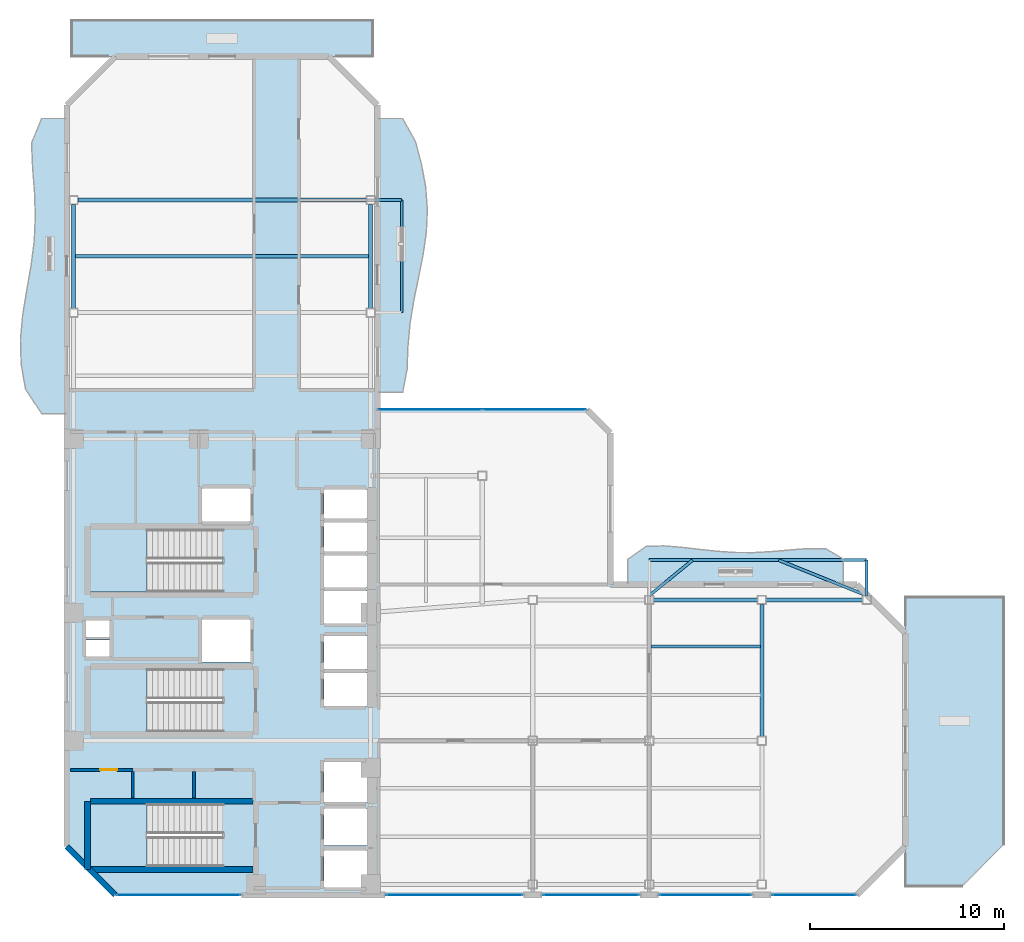
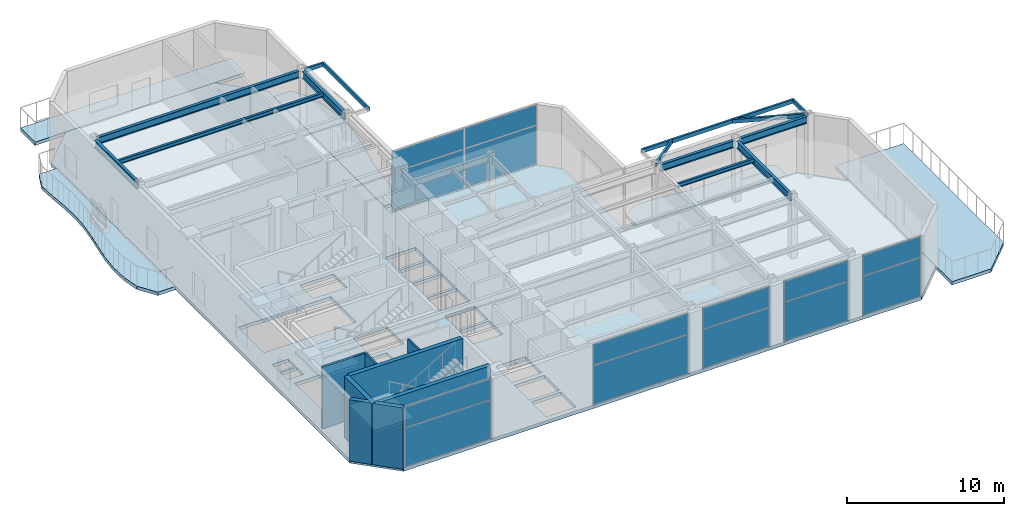
# One storey, part 9 of 16: 14 beams, 14 plates, 9 slabs, 7 walls, 1 door, 1 opening, 9 elements without a shape of their own.
"""IFC4 building model written with IfcOpenShell, lengths in metres."""

from ifc_helpers import new_model, si_unit, direction, frame, frame_2d, origin, origin_2d, place, context, subcontext, project, spatial, polyline, rectangle, hollow_rectangle, i_section, outline, extrude, material, layer, layer_set, material_profile, profile_set, type_object, element, fill, aggregate, save


model = new_model("IFC4")

# Units and contexts
model_context = context("Model", 3, precision=1e-05, world=origin(), true_north=direction((0.0, 1.0)))
body_context = subcontext(model_context, "Body", "Model", "MODEL_VIEW")
ifc_project = project(units=[si_unit("LENGTHUNIT", "METRE"), si_unit("AREAUNIT", "SQUARE_METRE"), si_unit("VOLUMEUNIT", "CUBIC_METRE"), si_unit("PLANEANGLEUNIT", "RADIAN"), si_unit("MASSUNIT", "GRAM", prefix="KILO")], contexts=[model_context])

# Site, building, storey
site_placement = place(None, origin())
site = spatial("IfcSite", under=ifc_project, at=site_placement, CompositionType="ELEMENT")
building_placement = place(site_placement, origin())
building = spatial("IfcBuilding", under=site, at=building_placement, Name="Mawjaban Terraces University", CompositionType="ELEMENT")
storey_placement = place(building_placement, frame((0.0, 0.0, 170.800048828125)))
storey = spatial("IfcBuildingStorey", under=building, at=storey_placement, Name="L41", CompositionType="ELEMENT", Elevation=170.800048828125)

# Beams
ifc_material_1 = material(Name="Steel EN 10210-1 S355J2H", Category="steel")
ifc_material_profile_1 = material_profile(ifc_material_1, hollow_rectangle(XDim=0.14990234375, YDim=0.300048828125, WallThickness=0.012451171875, at=origin_2d()), Name="RHS300X150X12.5")
ifc_profile_set_1 = profile_set([ifc_material_profile_1], Name="Steel EN 10210-1 S355J2H")
beam_type_1 = type_object("IfcBeamType", Name="BalconyCantileverSpandrel_RHS", PredefinedType="SPANDREL", material=ifc_profile_set_1)
beam_1_placement = place(storey_placement, frame((63.199951171875, 15.425048828125, 4.639892578125), z_axis=(0.0, 1.0, 0.0), x_axis=(-1.0, 0.0, 0.0)))
element("IfcBeam", 1, at=beam_1_placement, inside=storey, type_object=beam_type_1, Name="L41 Exterior Outrigger BAL-L42-N.2", PredefinedType="SPANDREL", context=body_context, shape_type="SweptSolid", body=[
    extrude(hollow_rectangle(XDim=0.14990234375, YDim=0.300048828125, WallThickness=0.012451171875, at=origin_2d()), origin(), (0.0, 0.0, 1.0), 1.824951171875),
])
beam_2_placement = place(storey_placement, frame((52.0, 17.25, 4.639892578125), z_axis=(1.0, 0.0, 0.0), x_axis=(0.0, 1.0, 0.0)))
element("IfcBeam", 2, at=beam_2_placement, inside=storey, type_object=beam_type_1, Name="L41 Exterior Edge Spandrel BAL-L42-N", PredefinedType="SPANDREL", context=body_context, shape_type="SweptSolid", body=[
    extrude(hollow_rectangle(XDim=0.14990234375, YDim=0.300048828125, WallThickness=0.012451171875, at=origin_2d()), origin(), (0.0, 0.0, 1.0), 11.199951171875),
])
beam_3_placement = place(storey_placement, frame((52.0, 15.425048828125, 4.639892578125), z_axis=(0.773885570903, 0.633325448051, 0.0), x_axis=(-0.633325448051, 0.773885570903, 0.0)))
element("IfcBeam", 3, at=beam_3_placement, inside=storey, type_object=beam_type_1, Name="L41 Exterior Diagonal Strut BAL-L42-N.1", PredefinedType="SPANDREL", context=body_context, shape_type="SweptSolid", body=[
    extrude(hollow_rectangle(XDim=0.14990234375, YDim=0.300048828125, WallThickness=0.012451171875, at=origin_2d()), origin(), (0.0, 0.0, 1.0), 2.881591796875),
])
beam_4_placement = place(storey_placement, frame((63.199951171875, 15.425048828125, 4.639892578125), z_axis=(-0.927560275354, 0.373673568217, 0.0), x_axis=(-0.373673568217, -0.927560275354, 0.0)))
element("IfcBeam", 4, at=beam_4_placement, inside=storey, type_object=beam_type_1, Name="L41 Exterior Diagonal Strut BAL-L42-N.2", PredefinedType="SPANDREL", context=body_context, shape_type="SweptSolid", body=[
    extrude(hollow_rectangle(XDim=0.14990234375, YDim=0.300048828125, WallThickness=0.012451171875, at=origin_2d()), origin(), (0.0, 0.0, 1.0), 4.8837890625),
])
beam_5_placement = place(storey_placement, frame((37.875, 35.800048828125, 4.639892578125), z_axis=(1.0, 0.0, 0.0), x_axis=(0.0, 1.0, 0.0)))
element("IfcBeam", 5, at=beam_5_placement, inside=storey, type_object=beam_type_1, Name="L41 Exterior Outrigger BAL-L42-E.2", PredefinedType="SPANDREL", context=body_context, shape_type="SweptSolid", body=[
    extrude(hollow_rectangle(XDim=0.14990234375, YDim=0.300048828125, WallThickness=0.012451171875, at=origin_2d()), origin(), (0.0, 0.0, 1.0), 1.375),
])
beam_6_placement = place(storey_placement, frame((39.25, 30.0, 4.639892578125), z_axis=(0.0, 1.0, 0.0), x_axis=(-1.0, 0.0, 0.0)))
element("IfcBeam", 6, at=beam_6_placement, inside=storey, type_object=beam_type_1, Name="L41 Exterior Edge Spandrel BAL-L42-E", PredefinedType="SPANDREL", context=body_context, shape_type="SweptSolid", body=[
    extrude(hollow_rectangle(XDim=0.14990234375, YDim=0.300048828125, WallThickness=0.012451171875, at=origin_2d()), origin(), (0.0, 0.0, 1.0), 5.800048828125),
])
ifc_material_2 = material(Name="Steel ASTM A572 Grade 50", Category="steel")
ifc_material_profile_2 = material_profile(ifc_material_2, i_section(OverallWidth=0.2119140625, OverallDepth=0.5439453125, WebThickness=0.01318359375, FlangeThickness=0.021240234375, at=origin_2d()), Name="W530X123")
ifc_profile_set_2 = profile_set([ifc_material_profile_2], Name="Steel ASTM A572 Grade 50")
beam_type_2 = type_object("IfcBeamType", Name="Beam_B_W530X123", PredefinedType="BEAM", material=ifc_profile_set_2)
beam_7_placement = place(storey_placement, frame((52.22509765625, 15.199951171875, 4.51806640625), z_axis=(1.0, 0.0, 0.0), x_axis=(0.0, 1.0, 0.0)))
element("IfcBeam", 7, at=beam_7_placement, inside=storey, type_object=beam_type_2, Name="L41 Beam BM-L41-EW-08", PredefinedType="BEAM", context=body_context, shape_type="SweptSolid", body=[
    extrude(i_section(OverallWidth=0.2119140625, OverallDepth=0.5439453125, WebThickness=0.01318359375, FlangeThickness=0.021240234375, at=origin_2d()), origin(), (0.0, 0.0, 1.0), 5.349853515625),
])
beam_8_placement = place(storey_placement, frame((58.02490234375, 15.199951171875, 4.51806640625), z_axis=(1.0, 0.0, 0.0), x_axis=(0.0, 1.0, 0.0)))
element("IfcBeam", 8, at=beam_8_placement, inside=storey, type_object=beam_type_2, Name="L41 Beam BM-L41-EW-09", PredefinedType="BEAM", context=body_context, shape_type="SweptSolid", body=[
    extrude(i_section(OverallWidth=0.2119140625, OverallDepth=0.5439453125, WebThickness=0.01318359375, FlangeThickness=0.021240234375, at=origin_2d()), origin(), (0.0, 0.0, 1.0), 4.9501953125),
])
beam_9_placement = place(storey_placement, frame((22.574951171875, 35.800048828125, 4.51806640625), z_axis=(1.0, 0.0, 0.0), x_axis=(0.0, 1.0, 0.0)))
element("IfcBeam", 9, at=beam_9_placement, inside=storey, type_object=beam_type_2, Name="L41 Beam BM-L41-EW-13", PredefinedType="BEAM", context=body_context, shape_type="SweptSolid", body=[
    extrude(i_section(OverallWidth=0.2119140625, OverallDepth=0.5439453125, WebThickness=0.01318359375, FlangeThickness=0.021240234375, at=origin_2d()), origin(), (0.0, 0.0, 1.0), 14.85009765625),
])
for number, where, z_axis, x_axis, name in (
    (10, (22.35009765625, 30.22509765625, 4.51806640625), (0.0, 1.0, 0.0), (-1.0, 0.0, 0.0), "L41 Beam BM-L41-NS-04"),
    (11, (37.64990234375, 30.22509765625, 4.51806640625), (0.0, 1.0, 0.0), (-1.0, 0.0, 0.0), "L41 Beam BM-L41-NS-09"),
):
    element("IfcBeam", number, at=place(storey_placement, frame(where, z_axis=z_axis, x_axis=x_axis)), inside=storey, type_object=beam_type_2, Name=name, PredefinedType="BEAM", context=body_context, shape_type="SweptSolid", body=[
        extrude(i_section(OverallWidth=0.2119140625, OverallDepth=0.5439453125, WebThickness=0.01318359375, FlangeThickness=0.021240234375, at=origin_2d()), origin(), (0.0, 0.0, 1.0), 5.349853515625),
    ])
beam_10_placement = place(storey_placement, frame((57.800048828125, 8.175048828125, 4.51806640625), z_axis=(0.0, 1.0, 0.0), x_axis=(-1.0, 0.0, 0.0)))
element("IfcBeam", 12, at=beam_10_placement, inside=storey, type_object=beam_type_2, Name="L41 Beam BM-L41-NS-15", PredefinedType="BEAM", context=body_context, shape_type="SweptSolid", body=[
    extrude(i_section(OverallWidth=0.2119140625, OverallDepth=0.5439453125, WebThickness=0.01318359375, FlangeThickness=0.021240234375, at=origin_2d()), origin(), (0.0, 0.0, 1.0), 6.800048828125),
])
ifc_material_profile_3 = material_profile(ifc_material_2, i_section(OverallWidth=0.1669921875, OverallDepth=0.318115234375, WebThickness=0.007568359375, FlangeThickness=0.01318359375, at=origin_2d()), Name="W310X52")
ifc_profile_set_3 = profile_set([ifc_material_profile_3], Name="Steel ASTM A572 Grade 50")
beam_type_3 = type_object("IfcBeamType", Name="Beam_J_W310X52", PredefinedType="JOIST", material=ifc_profile_set_3)
beam_11_placement = place(storey_placement, frame((52.080078125, 12.800048828125, 4.630859375), z_axis=(1.0, 0.0, 0.0), x_axis=(0.0, 1.0, 0.0)))
element("IfcBeam", 13, at=beam_11_placement, inside=storey, type_object=beam_type_3, Name="L41 Composite Joist JST-L41-12", PredefinedType="JOIST", context=body_context, shape_type="SweptSolid", body=[
    extrude(i_section(OverallWidth=0.1669921875, OverallDepth=0.318115234375, WebThickness=0.007568359375, FlangeThickness=0.01318359375, at=origin_2d()), origin(), (0.0, 0.0, 1.0), 5.639892578125),
])
beam_12_placement = place(storey_placement, frame((22.429931640625, 32.89990234375, 4.630859375), z_axis=(1.0, 0.0, 0.0), x_axis=(0.0, 1.0, 0.0)))
element("IfcBeam", 14, at=beam_12_placement, inside=storey, type_object=beam_type_3, Name="L41 Composite Joist JST-L41-15", PredefinedType="JOIST", context=body_context, shape_type="SweptSolid", body=[
    extrude(i_section(OverallWidth=0.1669921875, OverallDepth=0.318115234375, WebThickness=0.007568359375, FlangeThickness=0.01318359375, at=origin_2d()), origin(), (0.0, 0.0, 1.0), 15.14013671875),
])

# Slabs
ifc_material_3 = material(Name="Concrete C40/50", Category="concrete")
ifc_layer_1 = layer(ifc_material_3, 0.260009765625)
ifc_layer_set_1 = layer_set([ifc_layer_1], Name="Concrete C40/50")
slab_type_1 = type_object("IfcSlabType", Name="BalconySlab_260_Ext", PredefinedType="FLOOR", material=ifc_layer_set_1)
slab_1_placement = place(storey_placement, frame((0.0, 0.0, -0.260009765625)))
element("IfcSlab", 15, at=slab_1_placement, inside=storey, type_object=slab_type_1, Name="L41 Planted Balcony Slab west", PredefinedType="FLOOR", context=body_context, shape_type="SweptSolid", body=[
    extrude(outline(polyline([(22.010009765625, 24.800048828125), (22.010009765625, 40.0), (20.699951171875, 40.0), (20.18310546875, 38.73291015625), (20.237060546875, 37.467041015625), (20.3349609375, 36.199951171875), (20.3779296875, 34.93310546875), (20.318115234375, 33.6669921875), (20.154052734375, 32.39990234375), (19.931884765625, 31.133056640625), (19.72509765625, 29.866943359375), (19.612060546875, 28.60009765625), (19.64892578125, 27.3330078125), (19.8720703125, 26.06689453125), (20.699951171875, 24.800048828125), (22.010009765625, 24.800048828125)])), origin(), (0.0, 0.0, 1.0), 0.260009765625),
])
slab_2_placement = place(storey_placement, frame((0.0, 0.0, -0.260009765625)))
element("IfcSlab", 16, at=slab_2_placement, inside=storey, type_object=slab_type_1, Name="L41 Planted Balcony Slab inner_north", PredefinedType="FLOOR", context=body_context, shape_type="SweptSolid", body=[
    extrude(outline(polyline([(50.89990234375, 15.989990234375), (62.0, 15.989990234375), (62.0, 17.300048828125), (61.074951171875, 17.846923828125), (60.14990234375, 17.846923828125), (59.22509765625, 17.77294921875), (58.300048828125, 17.69189453125), (57.375, 17.64208984375), (56.449951171875, 17.64501953125), (55.52490234375, 17.705078125), (54.60009765625, 17.803955078125), (53.675048828125, 17.9130859375), (52.75, 17.985107421875), (51.824951171875, 17.955078125), (50.89990234375, 17.300048828125), (50.89990234375, 15.989990234375)])), origin(), (0.0, 0.0, 1.0), 0.260009765625),
])
slab_3_placement = place(storey_placement, frame((0.0, 0.0, -0.260009765625)))
element("IfcSlab", 17, at=slab_3_placement, inside=storey, type_object=slab_type_1, Name="L41 Planted Balcony Slab inner_east", PredefinedType="FLOOR", context=body_context, shape_type="SweptSolid", body=[
    extrude(outline(polyline([(39.300048828125, 25.89990234375), (39.527099609375, 27.074951171875), (39.569091796875, 28.25), (39.677001953125, 29.425048828125), (39.866943359375, 30.60009765625), (40.10888671875, 31.77490234375), (40.346923828125, 32.949951171875), (40.51708984375, 34.125), (40.570068359375, 35.300048828125), (40.48388671875, 36.47509765625), (40.26904296875, 37.64990234375), (39.955078125, 38.824951171875), (39.300048828125, 40.0), (37.989990234375, 40.0), (37.989990234375, 25.89990234375), (39.300048828125, 25.89990234375)])), origin(), (0.0, 0.0, 1.0), 0.260009765625),
])
ifc_layer_2 = layer(ifc_material_3, 0.260009765625)
ifc_layer_set_2 = layer_set([ifc_layer_2], Name="Concrete C40/50")
slab_type_2 = type_object("IfcSlabType", Name="DiaphragmSlab_260", PredefinedType="FLOOR", material=ifc_layer_set_2)
slab_4_placement = place(storey_placement, frame((0.0, 0.0, -0.260009765625)))
element("IfcSlab", 18, at=slab_4_placement, inside=storey, type_object=slab_type_2, Name="L41 Primary Structural Slab", PredefinedType="FLOOR", context=body_context, shape_type="SweptSolid", body=[
    extrude(outline(polyline([(24.5, 0.0), (62.699951171875, 0.0), (65.199951171875, 2.5), (65.199951171875, 13.5), (62.699951171875, 16.0), (50.0, 16.0), (50.0, 23.800048828125), (48.800048828125, 25.0), (38.0, 25.0), (38.0, 40.699951171875), (35.5, 43.199951171875), (24.5, 43.199951171875), (22.0, 40.699951171875), (22.0, 2.5), (24.5, 0.0)]), holes=[polyline([(30.014892578125, 4.699951171875), (23.199951171875, 4.699951171875), (23.199951171875, 1.449951171875), (30.014892578125, 1.449951171875), (30.014892578125, 4.699951171875)]), polyline([(30.014892578125, 18.85009765625), (23.199951171875, 18.85009765625), (23.199951171875, 15.60009765625), (30.014892578125, 15.60009765625), (30.014892578125, 18.85009765625)]), polyline([(30.014892578125, 11.64990234375), (23.199951171875, 11.64990234375), (23.199951171875, 8.39990234375), (30.014892578125, 8.39990234375), (30.014892578125, 11.64990234375)]), polyline([(35.25, 0.39990234375), (37.449951171875, 0.39990234375), (37.449951171875, 2.300048828125), (35.25, 2.300048828125), (35.25, 0.39990234375)]), polyline([(35.25, 2.550048828125), (37.449951171875, 2.550048828125), (37.449951171875, 4.449951171875), (35.25, 4.449951171875), (35.25, 2.550048828125)]), polyline([(35.25, 4.800048828125), (37.449951171875, 4.800048828125), (37.449951171875, 6.85009765625), (35.25, 6.85009765625), (35.25, 4.800048828125)]), polyline([(35.25, 9.75), (37.449951171875, 9.75), (37.449951171875, 11.449951171875), (35.25, 11.449951171875), (35.25, 9.75)]), polyline([(35.25, 11.64990234375), (37.449951171875, 11.64990234375), (37.449951171875, 13.35009765625), (35.25, 13.35009765625), (35.25, 11.64990234375)]), polyline([(28.949951171875, 12.0), (31.449951171875, 12.0), (31.449951171875, 14.199951171875), (28.949951171875, 14.199951171875), (28.949951171875, 12.0)]), polyline([(35.25, 14.0), (37.449951171875, 14.0), (37.449951171875, 15.64990234375), (35.25, 15.64990234375), (35.25, 14.0)]), polyline([(35.25, 15.85009765625), (37.449951171875, 15.85009765625), (37.449951171875, 17.5), (35.25, 17.5), (35.25, 15.85009765625)]), polyline([(35.25, 17.699951171875), (37.449951171875, 17.699951171875), (37.449951171875, 19.199951171875), (35.25, 19.199951171875), (35.25, 17.699951171875)]), polyline([(35.25, 19.39990234375), (37.449951171875, 19.39990234375), (37.449951171875, 20.89990234375), (35.25, 20.89990234375), (35.25, 19.39990234375)]), polyline([(28.949951171875, 19.25), (31.449951171875, 19.25), (31.449951171875, 20.949951171875), (28.949951171875, 20.949951171875), (28.949951171875, 19.25)]), polyline([(23.0, 12.25), (24.199951171875, 12.25), (24.199951171875, 13.14990234375), (23.0, 13.14990234375), (23.0, 12.25)]), polyline([(23.0, 13.300048828125), (24.199951171875, 13.300048828125), (24.199951171875, 14.179931640625), (23.0, 14.179931640625), (23.0, 13.300048828125)])]), origin(), (0.0, 0.0, 1.0), 0.260009765625),
])

# Stair, slab
stair_type = type_object("IfcStairType", Name="Stair_Core1550_H50", PredefinedType="HALF_TURN_STAIR", material=ifc_material_3)
stair_1_placement = place(storey_placement, origin())
stair_1 = element("IfcStair", 19, at=stair_1_placement, inside=storey, type_object=stair_type, Name="L41 Core Exit Stair 1", PredefinedType="HALF_TURN_STAIR")
ifc_layer_3 = layer(ifc_material_3, 0.199951171875)
ifc_layer_set_3 = layer_set([ifc_layer_3], Name="Concrete C40/50")
slab_type_3 = type_object("IfcSlabType", Name="StairLandingSlab_200", PredefinedType="LANDING", material=ifc_layer_set_3)
slab_5_placement = place(storey_placement, frame((0.0, 0.0, 2.300048828125)))
slab_5 = element("IfcSlab", 20, at=slab_5_placement, type_object=slab_type_3, Name="ST-1 landing 1", PredefinedType="LANDING", context=body_context, shape_type="SweptSolid", body=[
    extrude(outline(polyline([(26.1298828125, 4.699951171875), (23.199951171875, 4.699951171875), (23.199951171875, 1.449951171875), (26.1298828125, 1.449951171875), (26.1298828125, 4.699951171875)])), origin(), (0.0, 0.0, 1.0), 0.199951171875),
])
aggregate(stair_1, [slab_5])

stair_2_placement = place(storey_placement, origin())
stair_2 = element("IfcStair", 21, at=stair_2_placement, inside=storey, type_object=stair_type, Name="L41 Core Exit Stair 2", PredefinedType="HALF_TURN_STAIR")
slab_6_placement = place(storey_placement, frame((0.0, 0.0, 2.300048828125)))
slab_6 = element("IfcSlab", 22, at=slab_6_placement, type_object=slab_type_3, Name="ST-2 landing 1", PredefinedType="LANDING", context=body_context, shape_type="SweptSolid", body=[
    extrude(outline(polyline([(26.1298828125, 18.85009765625), (23.199951171875, 18.85009765625), (23.199951171875, 15.60009765625), (26.1298828125, 15.60009765625), (26.1298828125, 18.85009765625)])), origin(), (0.0, 0.0, 1.0), 0.199951171875),
])
aggregate(stair_2, [slab_6])

stair_3_placement = place(storey_placement, origin())
stair_3 = element("IfcStair", 23, at=stair_3_placement, inside=storey, type_object=stair_type, Name="L41 Core Exit Stair 3", PredefinedType="HALF_TURN_STAIR")
slab_7_placement = place(storey_placement, frame((0.0, 0.0, 2.300048828125)))
slab_7 = element("IfcSlab", 24, at=slab_7_placement, type_object=slab_type_3, Name="ST-3 landing 1", PredefinedType="LANDING", context=body_context, shape_type="SweptSolid", body=[
    extrude(outline(polyline([(26.1298828125, 11.64990234375), (23.199951171875, 11.64990234375), (23.199951171875, 8.39990234375), (26.1298828125, 8.39990234375), (26.1298828125, 11.64990234375)])), origin(), (0.0, 0.0, 1.0), 0.199951171875),
])
aggregate(stair_3, [slab_7])

# Slabs
ifc_layer_4 = layer(ifc_material_3, 0.260009765625)
ifc_layer_set_4 = layer_set([ifc_layer_4], Name="Concrete C40/50")
slab_type_4 = type_object("IfcSlabType", Name="TerraceRoofSlab_260_Ext", PredefinedType="ROOF", material=ifc_layer_set_4)
slab_8_placement = place(storey_placement, frame((0.0, 0.0, -0.260009765625)))
element("IfcSlab", 25, at=slab_8_placement, inside=storey, type_object=slab_type_4, Name="L41 Exterior Setback Terrace Slab", PredefinedType="ROOF", context=body_context, shape_type="SweptSolid", body=[
    extrude(outline(polyline([(65.199951171875, 0.449951171875), (68.10009765625, 0.449951171875), (70.25, 2.60009765625), (70.25, 15.35009765625), (65.199951171875, 15.35009765625), (65.199951171875, 0.449951171875)])), origin(), (0.0, 0.0, 1.0), 0.260009765625),
])
slab_9_placement = place(storey_placement, frame((0.0, 0.0, -0.260009765625)))
element("IfcSlab", 26, at=slab_9_placement, inside=storey, type_object=slab_type_4, Name="L41 Exterior Setback Terrace Slab", PredefinedType="ROOF", context=body_context, shape_type="SweptSolid", body=[
    extrude(outline(polyline([(22.25, 43.199951171875), (37.75, 43.199951171875), (37.75, 45.050048828125), (22.25, 45.050048828125), (22.25, 43.199951171875)])), origin(), (0.0, 0.0, 1.0), 0.260009765625),
])

# Curtain wall, plates
ifc_material_4 = material(Name="Anodised aluminium 6063-T6 and solar-control low-E glass", Category="aluminium")
ifc_layer_5 = layer(ifc_material_4, 0.18994140625)
ifc_layer_set_5 = layer_set([ifc_layer_5], Name="Anodised aluminium 6063-T6 and solar-control low-E glass")
curtain_wall_type = type_object("IfcCurtainWallType", Name="CWSystem_05_SkyLobby", PredefinedType="NOTDEFINED", material=ifc_layer_set_5)
curtain_wall_1_placement = place(storey_placement, origin())
curtain_wall_1 = element("IfcCurtainWall", 27, at=curtain_wall_1_placement, inside=storey, type_object=curtain_wall_type, Name="L41 Curtain Wall CW-05 Run 1.1", PredefinedType="NOTDEFINED")
ifc_material_5 = material(Name="Low-E solar-control double glazing", Category="glass")
ifc_layer_6 = layer(ifc_material_5, 0.033935546875)
ifc_layer_set_6 = layer_set([ifc_layer_6], Name="Low-E solar-control double glazing")
plate_type = type_object("IfcPlateType", Name="VisionPanel_CW-05", PredefinedType="CURTAIN_PANEL", material=ifc_layer_set_6)
plate_1_placement = place(storey_placement, frame((27.75, 0.0, 0.06005859375), z_axis=(0.0, 0.0, 1.0), x_axis=(1.0, 0.0, 0.0)))
plate_1 = element("IfcPlate", 28, at=plate_1_placement, type_object=plate_type, Name="CW-05 panel 1.1", PredefinedType="CURTAIN_PANEL", context=body_context, shape_type="SweptSolid", body=[
    extrude(rectangle(XDim=6.3701171875, YDim=0.028076171875, at=origin_2d()), origin(), (0.0, 0.0, 1.0), 3.02294921875),
])
plate_2_placement = place(storey_placement, frame((27.75, 0.0, 3.14306640625), z_axis=(0.0, 0.0, 1.0), x_axis=(1.0, 0.0, 0.0)))
plate_2 = element("IfcPlate", 29, at=plate_2_placement, type_object=plate_type, Name="CW-05 panel 1.2", PredefinedType="CURTAIN_PANEL", context=body_context, shape_type="SweptSolid", body=[
    extrude(rectangle(XDim=6.3701171875, YDim=0.028076171875, at=origin_2d()), origin(), (0.0, 0.0, 1.0), 1.5869140625),
])
aggregate(curtain_wall_1, [plate_1, plate_2])

curtain_wall_2_placement = place(storey_placement, origin())
curtain_wall_2 = element("IfcCurtainWall", 30, at=curtain_wall_2_placement, inside=storey, type_object=curtain_wall_type, Name="L41 Curtain Wall CW-05 Run 1.2", PredefinedType="NOTDEFINED")
plate_3_placement = place(storey_placement, frame((41.96240234375, 0.0, 0.06005859375), z_axis=(0.0, 0.0, 1.0), x_axis=(1.0, 0.0, 0.0)))
plate_3 = element("IfcPlate", 31, at=plate_3_placement, type_object=plate_type, Name="CW-05 panel 1.1", PredefinedType="CURTAIN_PANEL", context=body_context, shape_type="SweptSolid", body=[
    extrude(rectangle(XDim=6.9951171875, YDim=0.028076171875, at=origin_2d()), origin(), (0.0, 0.0, 1.0), 3.02294921875),
])
plate_4_placement = place(storey_placement, frame((41.96240234375, 0.0, 3.14306640625), z_axis=(0.0, 0.0, 1.0), x_axis=(1.0, 0.0, 0.0)))
plate_4 = element("IfcPlate", 32, at=plate_4_placement, type_object=plate_type, Name="CW-05 panel 1.2", PredefinedType="CURTAIN_PANEL", context=body_context, shape_type="SweptSolid", body=[
    extrude(rectangle(XDim=6.9951171875, YDim=0.028076171875, at=origin_2d()), origin(), (0.0, 0.0, 1.0), 1.5869140625),
])
aggregate(curtain_wall_2, [plate_3, plate_4])

curtain_wall_3_placement = place(storey_placement, origin())
curtain_wall_3 = element("IfcCurtainWall", 33, at=curtain_wall_3_placement, inside=storey, type_object=curtain_wall_type, Name="L41 Curtain Wall CW-05 Run 1.3", PredefinedType="NOTDEFINED")
plate_5_placement = place(storey_placement, frame((49.0, 0.0, 0.06005859375), z_axis=(0.0, 0.0, 1.0), x_axis=(1.0, 0.0, 0.0)))
plate_5 = element("IfcPlate", 34, at=plate_5_placement, type_object=plate_type, Name="CW-05 panel 1.1", PredefinedType="CURTAIN_PANEL", context=body_context, shape_type="SweptSolid", body=[
    extrude(rectangle(XDim=4.919921875, YDim=0.028076171875, at=origin_2d()), origin(), (0.0, 0.0, 1.0), 3.02294921875),
])
plate_6_placement = place(storey_placement, frame((49.0, 0.0, 3.14306640625), z_axis=(0.0, 0.0, 1.0), x_axis=(1.0, 0.0, 0.0)))
plate_6 = element("IfcPlate", 35, at=plate_6_placement, type_object=plate_type, Name="CW-05 panel 1.2", PredefinedType="CURTAIN_PANEL", context=body_context, shape_type="SweptSolid", body=[
    extrude(rectangle(XDim=4.919921875, YDim=0.028076171875, at=origin_2d()), origin(), (0.0, 0.0, 1.0), 1.5869140625),
])
aggregate(curtain_wall_3, [plate_5, plate_6])

curtain_wall_4_placement = place(storey_placement, origin())
curtain_wall_4 = element("IfcCurtainWall", 36, at=curtain_wall_4_placement, inside=storey, type_object=curtain_wall_type, Name="L41 Curtain Wall CW-05 Run 1.4", PredefinedType="NOTDEFINED")
plate_7_placement = place(storey_placement, frame((54.89990234375, 0.0, 0.06005859375), z_axis=(0.0, 0.0, 1.0), x_axis=(1.0, 0.0, 0.0)))
plate_7 = element("IfcPlate", 37, at=plate_7_placement, type_object=plate_type, Name="CW-05 panel 1.1", PredefinedType="CURTAIN_PANEL", context=body_context, shape_type="SweptSolid", body=[
    extrude(rectangle(XDim=4.719970703125, YDim=0.028076171875, at=origin_2d()), origin(), (0.0, 0.0, 1.0), 3.02294921875),
])
plate_8_placement = place(storey_placement, frame((54.89990234375, 0.0, 3.14306640625), z_axis=(0.0, 0.0, 1.0), x_axis=(1.0, 0.0, 0.0)))
plate_8 = element("IfcPlate", 38, at=plate_8_placement, type_object=plate_type, Name="CW-05 panel 1.2", PredefinedType="CURTAIN_PANEL", context=body_context, shape_type="SweptSolid", body=[
    extrude(rectangle(XDim=4.719970703125, YDim=0.028076171875, at=origin_2d()), origin(), (0.0, 0.0, 1.0), 1.5869140625),
])
aggregate(curtain_wall_4, [plate_7, plate_8])

curtain_wall_5_placement = place(storey_placement, origin())
curtain_wall_5 = element("IfcCurtainWall", 39, at=curtain_wall_5_placement, inside=storey, type_object=curtain_wall_type, Name="L41 Curtain Wall CW-05 Run 1.5", PredefinedType="NOTDEFINED")
plate_9_placement = place(storey_placement, frame((60.487548828125, 0.0, 0.06005859375), z_axis=(0.0, 0.0, 1.0), x_axis=(1.0, 0.0, 0.0)))
plate_9 = element("IfcPlate", 40, at=plate_9_placement, type_object=plate_type, Name="CW-05 panel 1.1", PredefinedType="CURTAIN_PANEL", context=body_context, shape_type="SweptSolid", body=[
    extrude(rectangle(XDim=4.294921875, YDim=0.028076171875, at=origin_2d()), origin(), (0.0, 0.0, 1.0), 3.02294921875),
])
plate_10_placement = place(storey_placement, frame((60.487548828125, 0.0, 3.14306640625), z_axis=(0.0, 0.0, 1.0), x_axis=(1.0, 0.0, 0.0)))
plate_10 = element("IfcPlate", 41, at=plate_10_placement, type_object=plate_type, Name="CW-05 panel 1.2", PredefinedType="CURTAIN_PANEL", context=body_context, shape_type="SweptSolid", body=[
    extrude(rectangle(XDim=4.294921875, YDim=0.028076171875, at=origin_2d()), origin(), (0.0, 0.0, 1.0), 1.5869140625),
])
aggregate(curtain_wall_5, [plate_9, plate_10])

curtain_wall_6_placement = place(storey_placement, origin())
curtain_wall_6 = element("IfcCurtainWall", 42, at=curtain_wall_6_placement, inside=storey, type_object=curtain_wall_type, Name="L41 Curtain Wall CW-05 Run 8.1", PredefinedType="NOTDEFINED")
plate_11_placement = place(storey_placement, frame((46.083740234375, 25.0, 0.06005859375), z_axis=(0.0, 0.0, 1.0), x_axis=(-1.0, 0.0, 0.0)))
plate_11 = element("IfcPlate", 43, at=plate_11_placement, type_object=plate_type, Name="CW-05 panel 1.1", PredefinedType="CURTAIN_PANEL", context=body_context, shape_type="SweptSolid", body=[
    extrude(rectangle(XDim=5.302490234375, YDim=0.028076171875, at=origin_2d()), origin(), (0.0, 0.0, 1.0), 3.02294921875),
])
plate_12_placement = place(storey_placement, frame((46.083740234375, 25.0, 3.14306640625), z_axis=(0.0, 0.0, 1.0), x_axis=(-1.0, 0.0, 0.0)))
plate_12 = element("IfcPlate", 44, at=plate_12_placement, type_object=plate_type, Name="CW-05 panel 1.2", PredefinedType="CURTAIN_PANEL", context=body_context, shape_type="SweptSolid", body=[
    extrude(rectangle(XDim=5.302490234375, YDim=0.028076171875, at=origin_2d()), origin(), (0.0, 0.0, 1.0), 1.5869140625),
])
plate_13_placement = place(storey_placement, frame((40.71630859375, 25.0, 0.06005859375), z_axis=(0.0, 0.0, 1.0), x_axis=(-1.0, 0.0, 0.0)))
plate_13 = element("IfcPlate", 45, at=plate_13_placement, type_object=plate_type, Name="CW-05 panel 2.1", PredefinedType="CURTAIN_PANEL", context=body_context, shape_type="SweptSolid", body=[
    extrude(rectangle(XDim=5.302490234375, YDim=0.028076171875, at=origin_2d()), origin(), (0.0, 0.0, 1.0), 3.02294921875),
])
plate_14_placement = place(storey_placement, frame((40.71630859375, 25.0, 3.14306640625), z_axis=(0.0, 0.0, 1.0), x_axis=(-1.0, 0.0, 0.0)))
plate_14 = element("IfcPlate", 46, at=plate_14_placement, type_object=plate_type, Name="CW-05 panel 2.2", PredefinedType="CURTAIN_PANEL", context=body_context, shape_type="SweptSolid", body=[
    extrude(rectangle(XDim=5.302490234375, YDim=0.028076171875, at=origin_2d()), origin(), (0.0, 0.0, 1.0), 1.5869140625),
])
aggregate(curtain_wall_6, [plate_11, plate_12, plate_13, plate_14])

# Wall, opening, door
ifc_material_6 = material(Name="Fire-rated gypsum board on steel stud", Category="steel")
ifc_layer_7 = layer(ifc_material_6, 0.159912109375)
ifc_layer_set_7 = layer_set([ifc_layer_7], Name="Fire-rated gypsum board on steel stud")
wall_type_1 = type_object("IfcWallType", Name="CorridorPartition_160", PredefinedType="PARTITIONING", material=ifc_layer_set_7)
wall_1_placement = place(storey_placement, frame((22.199951171875, 6.449951171875, 0.0), z_axis=(0.0, 0.0, 1.0), x_axis=(1.0, 0.0, 0.0)))
wall_1 = element("IfcWall", 47, at=wall_1_placement, inside=storey, type_object=wall_type_1, Name="L41 Core Washroom Lobby Partition 1", PredefinedType="PARTITIONING", context=body_context, shape_type="SweptSolid", body=[
    extrude(rectangle(XDim=3.199951171875, YDim=0.159912109375, at=frame_2d((1.60009765625, 0.0))), origin(), (0.0, 0.0, 1.0), 4.7900390625),
])
opening_placement = place(wall_1_placement, frame((1.510009765625, 0.0, 0.0)))
opening = element("IfcOpeningElement", 48, at=opening_placement, cuts=wall_1, Name="Opening ID-088", PredefinedType="OPENING", context=body_context, shape_type="SweptSolid", body=[
    extrude(rectangle(XDim=0.8798828125, YDim=2.10009765625, at=frame_2d((0.43994140625, 1.050048828125))), frame((0.0, 0.08984375, 0.0), z_axis=(0.0, -1.0, 0.0), x_axis=(1.0, 0.0, 0.0)), (0.0, 0.0, 1.0), 0.179931640625),
])
ifc_material_7 = material(Name="Powder-coated steel frame and solid acoustic timber leaf", Category="steel")
door_type = type_object("IfcDoorType", Name="ToiletDoor_880x2100", OperationType="NOTDEFINED", PredefinedType="DOOR", material=ifc_material_7)
door_placement = place(opening_placement, origin())
door = element("IfcDoor", 49, at=door_placement, inside=storey, type_object=door_type, Name="L41 Male Toilet Door", OperationType="SINGLE_SWING_RIGHT", OverallHeight=2.10009765625, OverallWidth=0.8798828125, PredefinedType="DOOR", context=body_context, shape_type="SweptSolid", body=[
    extrude(rectangle(XDim=0.8798828125, YDim=2.10009765625, at=frame_2d((0.43994140625, 1.050048828125))), frame((0.0, 0.02490234375, 0.0), z_axis=(0.0, -1.0, 0.0), x_axis=(1.0, 0.0, 0.0)), (0.0, 0.0, 1.0), 0.050048828125),
])
fill(opening, door)

# Walls
ifc_material_8 = material(Name="Insulated terracotta rainscreen on concrete backup C40/50", Category="masonry")
ifc_layer_8 = layer(ifc_material_8, 0.300048828125)
ifc_layer_set_8 = layer_set([ifc_layer_8], Name="Insulated terracotta rainscreen on concrete backup C40/50")
wall_type_2 = type_object("IfcWallType", Name="ExtTerracottaWall_300", PredefinedType="SOLIDWALL", material=ifc_layer_set_8)
wall_2_placement = place(storey_placement, frame((22.0, 2.5, 0.0), z_axis=(0.0, 0.0, 1.0), x_axis=(0.707106781187, -0.707106781187, 0.0)))
element("IfcWall", 50, at=wall_2_placement, inside=storey, type_object=wall_type_2, Name="L41 Exterior Terracotta Wall 14", PredefinedType="SOLIDWALL", context=body_context, shape_type="SweptSolid", body=[
    extrude(rectangle(XDim=3.53564453125, YDim=0.300048828125, at=frame_2d((1.767822265625, 0.0))), origin(), (0.0, 0.0, 1.0), 4.7900390625),
])
ifc_material_9 = material(Name="Concrete C60/75", Category="concrete")
ifc_layer_9 = layer(ifc_material_9, 0.300048828125)
ifc_layer_set_9 = layer_set([ifc_layer_9], Name="Concrete C60/75")
wall_type_3 = type_object("IfcWallType", Name="StairShaftWall_300", PredefinedType="SHEAR", material=ifc_layer_set_9)
wall_3_placement = place(storey_placement, frame((31.580078125, 4.830078125, 0.0), z_axis=(0.0, 0.0, 1.0), x_axis=(-1.0, 0.0, 0.0)))
element("IfcWall", 51, at=wall_3_placement, inside=storey, type_object=wall_type_3, Name="L41 ST-1 Stair Shaft Wall 1", PredefinedType="SHEAR", context=body_context, shape_type="SweptSolid", body=[
    extrude(rectangle(XDim=8.360107421875, YDim=0.300048828125, at=frame_2d((4.18017578125, 0.0))), origin(), (0.0, 0.0, 1.0), 4.7900390625),
])
wall_4_placement = place(storey_placement, frame((23.070068359375, 4.830078125, 0.0), z_axis=(0.0, 0.0, 1.0), x_axis=(0.0, -1.0, 0.0)))
element("IfcWall", 52, at=wall_4_placement, inside=storey, type_object=wall_type_3, Name="L41 ST-1 Stair Shaft Wall 2", PredefinedType="SHEAR", context=body_context, shape_type="SweptSolid", body=[
    extrude(rectangle(XDim=3.510009765625, YDim=0.300048828125, at=frame_2d((1.7548828125, 0.0))), origin(), (0.0, 0.0, 1.0), 4.7900390625),
])
wall_5_placement = place(storey_placement, frame((23.219970703125, 1.320068359375, 0.0), z_axis=(0.0, 0.0, 1.0), x_axis=(1.0, 0.0, 0.0)))
element("IfcWall", 53, at=wall_5_placement, inside=storey, type_object=wall_type_3, Name="L41 ST-1 Stair Shaft Wall 3", PredefinedType="SHEAR", context=body_context, shape_type="SweptSolid", body=[
    extrude(rectangle(XDim=8.360107421875, YDim=0.300048828125, at=frame_2d((4.18017578125, 0.0))), origin(), (0.0, 0.0, 1.0), 4.7900390625),
])
ifc_material_10 = material(Name="Cement-board wet-room partition", Category="masonry")
ifc_layer_10 = layer(ifc_material_10, 0.135009765625)
ifc_layer_set_10 = layer_set([ifc_layer_10], Name="Cement-board wet-room partition")
wall_type_4 = type_object("IfcWallType", Name="WetRoomPartition_135", PredefinedType="PARTITIONING", material=ifc_layer_set_10)
for number, where, z_axis, x_axis, name in (
    (54, (25.39990234375, 5.010009765625, 0.0), (0.0, 0.0, 1.0), (0.0, 1.0, 0.0), "L41 Male Toilet Partition 20"),
    (55, (28.550048828125, 5.010009765625, 0.0), (0.0, 0.0, 1.0), (0.0, 1.0, 0.0), "L41 Female Toilet Partition 22"),
):
    element("IfcWall", number, at=place(storey_placement, frame(where, z_axis=z_axis, x_axis=x_axis)), inside=storey, type_object=wall_type_4, Name=name, PredefinedType="PARTITIONING", context=body_context, shape_type="SweptSolid", body=[
        extrude(rectangle(XDim=1.364990234375, YDim=0.135009765625, at=frame_2d((0.6826171875, 0.0))), origin(), (0.0, 0.0, 1.0), 4.7900390625),
    ])

save(model, "model.ifc")
